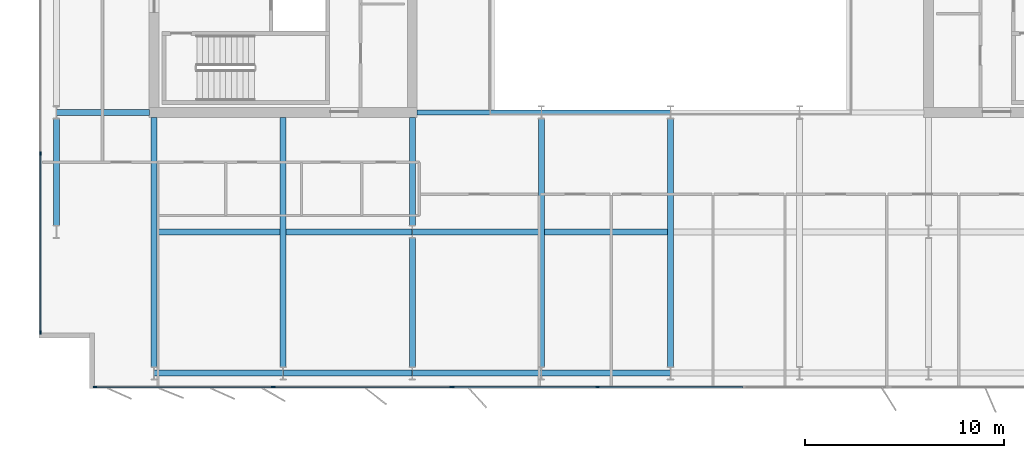
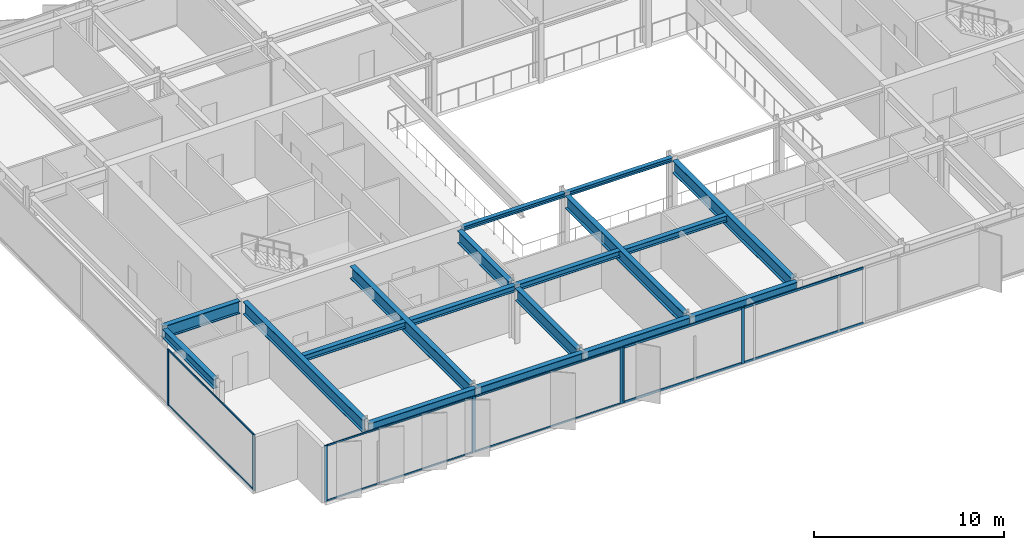
# One storey, part 4 of 20: 18 beams, 17 members, 3 elements without a shape of their own.
"""IFC4 building model written with IfcOpenShell, lengths in metres."""

import ifcopenshell
import ifcopenshell.guid

model = None  # the IFC model being written
_history = None  # IfcOwnerHistory: only IFC2X3 demands one
_inside = {}  # id of a spatial element -> (the spatial element, [elements in it])
_under = {}  # id of a project, library or spatial element -> (it, [spatial elements below it])
_declared = {}  # id of a project -> (the project, [libraries it declares])
_typed = {}  # id of a type object -> (the type object, [elements of that type])
_made_of = {}  # id of a material, layer set ... -> (it, [elements and type objects made of it])


def new_model(schema):
    """Start an empty IFC model of exactly this schema.

    Asked for "IFC4X3", IfcOpenShell would pick the latest addendum, in which some entities
    have other attributes; the version numbers below select the first issue.
    IFC2X3 requires an IfcOwnerHistory on every rooted entity: one is made here for all.
    """
    global model, _history
    if schema == "IFC4X3":
        model = ifcopenshell.file(schema_version=(4, 3, 0, 0))
    else:
        model = ifcopenshell.file(schema=schema)
    _inside.clear()
    _under.clear()
    _declared.clear()
    _typed.clear()
    _made_of.clear()
    _history = None
    if model.schema == "IFC2X3":
        org = make("IfcOrganization", Name="unknown")
        user = make(
            "IfcPersonAndOrganization",
            ThePerson=make("IfcPerson", FamilyName="unknown"),
            TheOrganization=org,
        )
        app = make(
            "IfcApplication",
            ApplicationDeveloper=org,
            Version="unknown",
            ApplicationFullName="unknown",
            ApplicationIdentifier="unknown",
        )
        _history = make(
            "IfcOwnerHistory",
            OwningUser=user,
            OwningApplication=app,
            ChangeAction="ADDED",
            CreationDate=0,
        )
    return model


def make(cls, **values):
    """One entity of the class cls with the attributes given. An attribute that is None is left unset."""
    return model.create_entity(
        cls, **{name: value for name, value in values.items() if value is not None}
    )


def rooted(cls, **values):
    """An entity with a GlobalId (a new one), such as an element, a storey or a relation."""
    return make(cls, GlobalId=ifcopenshell.guid.new(), OwnerHistory=_history, **values)


def si_unit(unit_type, name, prefix=None):
    """IfcSIUnit, for example si_unit("LENGTHUNIT", "METRE", prefix="MILLI")."""
    return make("IfcSIUnit", UnitType=unit_type, Prefix=prefix, Name=name)


def assignment(units):
    """IfcUnitAssignment: the units of a project."""
    return None if units is None else make("IfcUnitAssignment", Units=units)


def point(xyz):
    """IfcCartesianPoint."""
    return None if xyz is None else make("IfcCartesianPoint", Coordinates=xyz)


def direction(xyz):
    """IfcDirection."""
    return None if xyz is None else make("IfcDirection", DirectionRatios=xyz)


def frame(location, z_axis=None, x_axis=None):
    """IfcAxis2Placement3D, a coordinate frame: its origin and axes. An axis left out is left unset."""
    return make(
        "IfcAxis2Placement3D",
        Location=point(location),
        Axis=direction(z_axis),
        RefDirection=direction(x_axis),
    )


def frame_2d(location, x_axis=None):
    """IfcAxis2Placement2D, a coordinate frame in the plane: its origin and x axis."""
    return make(
        "IfcAxis2Placement2D", Location=point(location), RefDirection=direction(x_axis)
    )


def origin():
    """The frame at (0, 0, 0) with its axes left unset."""
    return frame((0.0, 0.0, 0.0))


def origin_2d():
    """The frame at (0, 0) in the plane with its x axis left unset."""
    return frame_2d((0.0, 0.0))


def place(relative_to, where):
    """IfcLocalPlacement: puts the frame where relative to a parent placement (None: the world)."""
    return make(
        "IfcLocalPlacement", PlacementRelTo=relative_to, RelativePlacement=where
    )


def context(
    kind, dimensions, precision=None, world=None, true_north=None, identifier=None
):
    """IfcGeometricRepresentationContext, for example the 3D "Model" context."""
    return make(
        "IfcGeometricRepresentationContext",
        ContextIdentifier=identifier,
        ContextType=kind,
        CoordinateSpaceDimension=dimensions,
        Precision=precision,
        WorldCoordinateSystem=world,
        TrueNorth=true_north,
    )


def subcontext(parent, identifier, kind, view, scale=None):
    """IfcGeometricRepresentationSubContext, for example "Body" below "Model"."""
    return make(
        "IfcGeometricRepresentationSubContext",
        ContextIdentifier=identifier,
        ContextType=kind,
        ParentContext=parent,
        TargetScale=scale,
        TargetView=view,
    )


def project(units=None, contexts=None):
    """IfcProject with its units and contexts."""
    return rooted(
        "IfcProject",
        Name="project",
        RepresentationContexts=contexts,
        UnitsInContext=assignment(units),
    )


def spatial(cls, under=None, at=None, **own):
    """A site, building, storey or space (cls), placed at a placement, below another one or the project."""
    s = rooted(cls, ObjectPlacement=at, **own)
    if under is not None:
        _under.setdefault(under.id(), (under, []))[1].append(s)
    return s


def profile(cls, at=None, kind="AREA", **sizes):
    """A parametric profile (cls). Its sizes go by their IFC names, for example OverallWidth=200.0."""
    return make(cls, ProfileType=kind, Position=at, **sizes)


def rectangle(**sizes):
    """IfcRectangleProfileDef."""
    return profile("IfcRectangleProfileDef", **sizes)


def i_section(**sizes):
    """IfcIShapeProfileDef."""
    return profile("IfcIShapeProfileDef", **sizes)


def extrude(swept, where, along, depth):
    """IfcExtrudedAreaSolid: the profile swept, set in the frame where, extruded along a direction by depth."""
    return make(
        "IfcExtrudedAreaSolid",
        SweptArea=swept,
        Position=where,
        ExtrudedDirection=direction(along),
        Depth=depth,
    )


def shape(context_of_items, identifier, shape_type, items):
    """IfcShapeRepresentation: the items that make up one representation, for example the "Body"."""
    return make(
        "IfcShapeRepresentation",
        ContextOfItems=context_of_items,
        RepresentationIdentifier=identifier,
        RepresentationType=shape_type,
        Items=items,
    )


def material(Name=None, Category=None):
    """IfcMaterial."""
    return make("IfcMaterial", Name=Name, Category=Category)


def layer(
    of_material, thickness, ventilated=None, Name=None, Category=None, Priority=None
):
    """IfcMaterialLayer: one layer of a wall or slab, of a material (None: an air gap)."""
    return make(
        "IfcMaterialLayer",
        Material=of_material,
        LayerThickness=thickness,
        IsVentilated=ventilated,
        Name=Name,
        Category=Category,
        Priority=Priority,
    )


def layer_set(layers, Name=None):
    """IfcMaterialLayerSet."""
    return make("IfcMaterialLayerSet", MaterialLayers=layers, LayerSetName=Name)


def material_profile(
    of_material, cross_section, Name=None, Category=None, Priority=None
):
    """IfcMaterialProfile: a cross section and its material."""
    return make(
        "IfcMaterialProfile",
        Name=Name,
        Material=of_material,
        Profile=cross_section,
        Priority=Priority,
        Category=Category,
    )


def profile_set(profiles, Name=None, composite=None):
    """IfcMaterialProfileSet."""
    return make(
        "IfcMaterialProfileSet",
        Name=Name,
        MaterialProfiles=profiles,
        CompositeProfile=composite,
    )


def made_of(thing, what):
    """Note that an element or type object is made of a material, layer set ...; save() writes the relation."""
    if what is not None:
        _made_of.setdefault(what.id(), (what, []))[1].append(thing)
    return thing


def type_object(cls, material=None, **own):
    """A type object (cls), such as IfcWallType, which elements share."""
    return made_of(rooted(cls, **own), material)


def element(
    cls,
    number,
    at=None,
    inside=None,
    cuts=None,
    type_object=None,
    material=None,
    context=None,
    identifier="Body",
    shape_type=None,
    held_by="IfcProductDefinitionShape",
    body=None,
    shapes=None,
    **own,
):
    """One element of the class cls, such as IfcWall. Its Tag is "e" and its number.

    at: its placement. inside: the storey or other place that contains it. cuts: it is an
    opening in that element (IfcRelVoidsElement). A single representation is given by context,
    identifier, shape_type and body (its items); several are given by shapes. held_by: the class
    of the entity that holds the representations. save() writes the other relations.
    """
    e = rooted(cls, Tag="e%d" % number, ObjectPlacement=at, **own)
    if body is not None:
        shapes = [shape(context, identifier, shape_type, body)]
    if shapes is not None:
        e.Representation = make(held_by, Representations=shapes)
    if inside is not None:
        _inside.setdefault(inside.id(), (inside, []))[1].append(e)
    if cuts is not None:
        rooted(
            "IfcRelVoidsElement", RelatingBuildingElement=cuts, RelatedOpeningElement=e
        )
    if type_object is not None:
        _typed.setdefault(type_object.id(), (type_object, []))[1].append(e)
    return made_of(e, material)


def aggregate(whole, parts):
    """IfcRelAggregates: a whole, such as a stair, and the parts it consists of."""
    return rooted("IfcRelAggregates", RelatingObject=whole, RelatedObjects=parts)


def save(model, path):
    """Write the relations noted so far, then the file.

    IfcRelAggregates (storeys below a building ...), IfcRelContainedInSpatialStructure (elements
    in a storey), IfcRelDefinesByType, IfcRelAssociatesMaterial and IfcRelDeclares: one each for
    every whole, place, type object, material and project.
    """
    for whole, parts in _under.values():
        aggregate(whole, parts)
    for where, things in _inside.values():
        rooted(
            "IfcRelContainedInSpatialStructure",
            RelatedElements=things,
            RelatingStructure=where,
        )
    for kind, things in _typed.values():
        rooted("IfcRelDefinesByType", RelatedObjects=things, RelatingType=kind)
    for what, things in _made_of.values():
        rooted("IfcRelAssociatesMaterial", RelatedObjects=things, RelatingMaterial=what)
    for by, libraries in _declared.values():
        rooted("IfcRelDeclares", RelatingContext=by, RelatedDefinitions=libraries)
    model.write(path)


model = new_model("IFC4")

# Units and contexts
model_context = context("Model", 3, precision=1e-05, world=origin(), true_north=direction((0.0, 1.0)))
body_context = subcontext(model_context, "Body", "Model", "MODEL_VIEW")
ifc_project = project(units=[si_unit("LENGTHUNIT", "METRE"), si_unit("AREAUNIT", "SQUARE_METRE"), si_unit("VOLUMEUNIT", "CUBIC_METRE"), si_unit("PLANEANGLEUNIT", "RADIAN"), si_unit("MASSUNIT", "GRAM", prefix="KILO")], contexts=[model_context])

# Site, building, storey
site_placement = place(None, origin())
site = spatial("IfcSite", under=ifc_project, at=site_placement, CompositionType="ELEMENT")
building_placement = place(site_placement, origin())
building = spatial("IfcBuilding", under=site, at=building_placement, Name="Putna Gate Headquarters", CompositionType="ELEMENT")
storey_placement = place(building_placement, frame((0.0, 0.0, 274.60009765625)))
storey = spatial("IfcBuildingStorey", under=building, at=storey_placement, Name="L69", CompositionType="ELEMENT", Elevation=274.60009765625)

# Beams
ifc_material_1 = material(Name="Steel S355J2", Category="steel")
ifc_material_profile_1 = material_profile(ifc_material_1, i_section(OverallWidth=0.260009765625, OverallDepth=0.260009765625, WebThickness=0.010009765625, FlangeThickness=0.017578125, at=origin_2d()), Name="Steel S355J2")
ifc_profile_set_1 = profile_set([ifc_material_profile_1], Name="Steel S355J2")
beam_type_1 = type_object("IfcBeamType", Name="BM-ATRIUM-HEB260", PredefinedType="BEAM", material=ifc_profile_set_1)
beam_1_placement = place(storey_placement, frame((26.235107421875, 19.0, 3.4580078125), z_axis=(1.0, 0.0, 0.0), x_axis=(0.0, 1.0, 0.0)))
element("IfcBeam", 1, at=beam_1_placement, inside=storey, type_object=beam_type_1, Name="L69 Atrium Edge Beam AS1", PredefinedType="BEAM", context=body_context, shape_type="SweptSolid", body=[
    extrude(i_section(OverallWidth=0.260009765625, OverallDepth=0.260009765625, WebThickness=0.010009765625, FlangeThickness=0.017578125, at=origin_2d()), origin(), (0.0, 0.0, 1.0), 6.2587890625),
])
beam_2_placement = place(storey_placement, frame((32.506103515625, 19.0, 3.4580078125), z_axis=(1.0, 0.0, 0.0), x_axis=(0.0, 1.0, 0.0)))
element("IfcBeam", 2, at=beam_2_placement, inside=storey, type_object=beam_type_1, Name="L69 Atrium Edge Beam AS2", PredefinedType="BEAM", context=body_context, shape_type="SweptSolid", body=[
    extrude(i_section(OverallWidth=0.260009765625, OverallDepth=0.260009765625, WebThickness=0.010009765625, FlangeThickness=0.017578125, at=origin_2d()), origin(), (0.0, 0.0, 1.0), 6.48779296875),
])
ifc_material_profile_2 = material_profile(ifc_material_1, i_section(OverallWidth=0.300048828125, OverallDepth=0.800048828125, WebThickness=0.017578125, FlangeThickness=0.032958984375, at=origin_2d()), Name="Steel S355J2")
ifc_profile_set_2 = profile_set([ifc_material_profile_2], Name="Steel S355J2")
beam_type_2 = type_object("IfcBeamType", Name="BM-GIRD-P-HEB800", PredefinedType="USERDEFINED", material=ifc_profile_set_2)
beam_3_placement = place(storey_placement, frame((8.0859375, 19.0, 3.18798828125), z_axis=(1.0, 0.0, 0.0), x_axis=(0.0, 1.0, 0.0)))
element("IfcBeam", 3, at=beam_3_placement, inside=storey, type_object=beam_type_2, Name="L69 West Wing Girder Y19", ObjectType="GIRDER", PredefinedType="USERDEFINED", context=body_context, shape_type="SweptSolid", body=[
    extrude(i_section(OverallWidth=0.300048828125, OverallDepth=0.800048828125, WebThickness=0.017578125, FlangeThickness=0.032958984375, at=origin_2d()), origin(), (0.0, 0.0, 1.0), 4.678955078125),
])
for number, where, z_axis, x_axis, name in (
    (4, (13.0, 6.201904296875, 3.18798828125), (0.0, 1.0, 0.0), (-1.0, 0.0, 0.0), "L69 South Primary Girder X13"),
    (5, (19.5, 6.201904296875, 3.18798828125), (0.0, 1.0, 0.0), (-1.0, 0.0, 0.0), "L69 South Primary Girder X19"),
):
    element("IfcBeam", number, at=place(storey_placement, frame(where, z_axis=z_axis, x_axis=x_axis)), inside=storey, type_object=beam_type_2, Name=name, ObjectType="GIRDER", PredefinedType="USERDEFINED", context=body_context, shape_type="SweptSolid", body=[
        extrude(i_section(OverallWidth=0.300048828125, OverallDepth=0.800048828125, WebThickness=0.017578125, FlangeThickness=0.032958984375, at=origin_2d()), origin(), (0.0, 0.0, 1.0), 12.56298828125),
    ])
beam_4_placement = place(storey_placement, frame((26.0, 6.201904296875, 3.18798828125), z_axis=(0.0, 1.0, 0.0), x_axis=(-1.0, 0.0, 0.0)))
element("IfcBeam", 6, at=beam_4_placement, inside=storey, type_object=beam_type_2, Name="L69 South Primary Girder X26-1", ObjectType="GIRDER", PredefinedType="USERDEFINED", context=body_context, shape_type="SweptSolid", body=[
    extrude(i_section(OverallWidth=0.300048828125, OverallDepth=0.800048828125, WebThickness=0.017578125, FlangeThickness=0.032958984375, at=origin_2d()), origin(), (0.0, 0.0, 1.0), 6.47607421875),
])
beam_5_placement = place(storey_placement, frame((26.0, 13.322021484375, 3.18798828125), z_axis=(0.0, 1.0, 0.0), x_axis=(-1.0, 0.0, 0.0)))
element("IfcBeam", 7, at=beam_5_placement, inside=storey, type_object=beam_type_2, Name="L69 South Primary Girder X26-2", ObjectType="GIRDER", PredefinedType="USERDEFINED", context=body_context, shape_type="SweptSolid", body=[
    extrude(i_section(OverallWidth=0.300048828125, OverallDepth=0.800048828125, WebThickness=0.017578125, FlangeThickness=0.032958984375, at=origin_2d()), origin(), (0.0, 0.0, 1.0), 5.44287109375),
])
for number, where, z_axis, x_axis, name in (
    (8, (32.5, 6.201904296875, 3.18798828125), (0.0, 1.0, 0.0), (-1.0, 0.0, 0.0), "L69 South Primary Girder X32"),
    (9, (39.0, 6.201904296875, 3.18798828125), (0.0, 1.0, 0.0), (-1.0, 0.0, 0.0), "L69 South Primary Girder X39"),
):
    element("IfcBeam", number, at=place(storey_placement, frame(where, z_axis=z_axis, x_axis=x_axis)), inside=storey, type_object=beam_type_2, Name=name, ObjectType="GIRDER", PredefinedType="USERDEFINED", context=body_context, shape_type="SweptSolid", body=[
        extrude(i_section(OverallWidth=0.300048828125, OverallDepth=0.800048828125, WebThickness=0.017578125, FlangeThickness=0.032958984375, at=origin_2d()), origin(), (0.0, 0.0, 1.0), 12.47607421875),
    ])
ifc_material_profile_3 = material_profile(ifc_material_1, i_section(OverallWidth=0.300048828125, OverallDepth=0.389892578125, WebThickness=0.010986328125, FlangeThickness=0.01904296875, at=origin_2d()), Name="Steel S355J2")
ifc_profile_set_3 = profile_set([ifc_material_profile_3], Name="Steel S355J2")
beam_type_3 = type_object("IfcBeamType", Name="BM-SEC-Z5-HEA400", PredefinedType="BEAM", material=ifc_profile_set_3)
beam_6_placement = place(storey_placement, frame((13.154052734375, 13.0, 3.392822265625), z_axis=(1.0, 0.0, 0.0), x_axis=(0.0, 1.0, 0.0)))
element("IfcBeam", 10, at=beam_6_placement, inside=storey, type_object=beam_type_3, Name="L69 South Secondary Beam 1", PredefinedType="BEAM", context=body_context, shape_type="SweptSolid", body=[
    extrude(i_section(OverallWidth=0.300048828125, OverallDepth=0.389892578125, WebThickness=0.010986328125, FlangeThickness=0.01904296875, at=origin_2d()), origin(), (0.0, 0.0, 1.0), 6.19189453125),
])
for number, where, z_axis, x_axis, name in (
    (11, (19.654052734375, 13.0, 3.392822265625), (1.0, 0.0, 0.0), (0.0, 1.0, 0.0), "L69 South Secondary Beam 2"),
    (12, (26.006103515625, 13.0, 3.392822265625), (1.0, 0.0, 0.0), (0.0, 1.0, 0.0), "L69 South Secondary Beam 3"),
):
    element("IfcBeam", number, at=place(storey_placement, frame(where, z_axis=z_axis, x_axis=x_axis)), inside=storey, type_object=beam_type_3, Name=name, PredefinedType="BEAM", context=body_context, shape_type="SweptSolid", body=[
        extrude(i_section(OverallWidth=0.300048828125, OverallDepth=0.389892578125, WebThickness=0.010986328125, FlangeThickness=0.01904296875, at=origin_2d()), origin(), (0.0, 0.0, 1.0), 6.33984375),
    ])
beam_7_placement = place(storey_placement, frame((32.654052734375, 13.0, 3.392822265625), z_axis=(1.0, 0.0, 0.0), x_axis=(0.0, 1.0, 0.0)))
element("IfcBeam", 13, at=beam_7_placement, inside=storey, type_object=beam_type_3, Name="L69 South Secondary Beam 4", PredefinedType="BEAM", context=body_context, shape_type="SweptSolid", body=[
    extrude(i_section(OverallWidth=0.300048828125, OverallDepth=0.389892578125, WebThickness=0.010986328125, FlangeThickness=0.01904296875, at=origin_2d()), origin(), (0.0, 0.0, 1.0), 6.19189453125),
])
ifc_material_profile_4 = material_profile(ifc_material_1, i_section(OverallWidth=0.300048828125, OverallDepth=0.590087890625, WebThickness=0.012939453125, FlangeThickness=0.02490234375, at=origin_2d()), Name="Steel S355J2")
ifc_profile_set_4 = profile_set([ifc_material_profile_4], Name="Steel S355J2")
beam_type_4 = type_object("IfcBeamType", Name="BM-SPAN-Z4-HEA600", PredefinedType="SPANDREL", material=ifc_profile_set_4)
for number, where, z_axis, x_axis, name in (
    (14, (13.006103515625, 5.8798828125, 3.29296875), (1.0, 0.0, 0.0), (0.0, 1.0, 0.0), "L69 S Perimeter Spandrel 1"),
    (15, (19.506103515625, 5.8798828125, 3.29296875), (1.0, 0.0, 0.0), (0.0, 1.0, 0.0), "L69 S Perimeter Spandrel 2"),
    (16, (26.006103515625, 5.8798828125, 3.29296875), (1.0, 0.0, 0.0), (0.0, 1.0, 0.0), "L69 S Perimeter Spandrel 3"),
    (17, (32.506103515625, 5.8798828125, 3.29296875), (1.0, 0.0, 0.0), (0.0, 1.0, 0.0), "L69 S Perimeter Spandrel 4"),
):
    element("IfcBeam", number, at=place(storey_placement, frame(where, z_axis=z_axis, x_axis=x_axis)), inside=storey, type_object=beam_type_4, Name=name, PredefinedType="SPANDREL", context=body_context, shape_type="SweptSolid", body=[
        extrude(i_section(OverallWidth=0.300048828125, OverallDepth=0.590087890625, WebThickness=0.012939453125, FlangeThickness=0.02490234375, at=origin_2d()), origin(), (0.0, 0.0, 1.0), 6.48779296875),
    ])
beam_8_placement = place(storey_placement, frame((8.080078125, 13.322021484375, 3.29296875), z_axis=(0.0, 1.0, 0.0), x_axis=(-1.0, 0.0, 0.0)))
element("IfcBeam", 18, at=beam_8_placement, inside=storey, type_object=beam_type_4, Name="L69 W End Spandrel 1", PredefinedType="SPANDREL", context=body_context, shape_type="SweptSolid", body=[
    extrude(i_section(OverallWidth=0.300048828125, OverallDepth=0.590087890625, WebThickness=0.012939453125, FlangeThickness=0.02490234375, at=origin_2d()), origin(), (0.0, 0.0, 1.0), 5.35595703125),
])

# Curtain wall, members
ifc_material_2 = material(Name="Anodised bronze aluminium curtain wall", Category="aluminium")
ifc_layer_1 = layer(ifc_material_2, 0.179931640625)
ifc_layer_set_1 = layer_set([ifc_layer_1], Name="Anodised bronze aluminium curtain wall")
curtain_wall_type_1 = type_object("IfcCurtainWallType", Name="CW-SYS-Z5", PredefinedType="USERDEFINED", material=ifc_layer_set_1)
curtain_wall_1_placement = place(storey_placement, origin())
curtain_wall_1 = element("IfcCurtainWall", 19, at=curtain_wall_1_placement, inside=storey, type_object=curtain_wall_type_1, Name="L69 South West Curtain Wall", ObjectType="STICK CURTAIN WALL", PredefinedType="USERDEFINED")
ifc_material_3 = material(Name="Anodised bronze aluminium EN AW-6060", Category="aluminium")
ifc_material_profile_5 = material_profile(ifc_material_3, rectangle(XDim=0.070068359375, YDim=0.179931640625, at=origin_2d()), Name="Anodised bronze aluminium EN AW-6060")
ifc_profile_set_5 = profile_set([ifc_material_profile_5], Name="Anodised bronze aluminium EN AW-6060")
member_type_1 = type_object("IfcMemberType", Name="MULL-CWM-5", PredefinedType="MULLION", material=ifc_profile_set_5)
member_1_placement = place(storey_placement, frame((10.034912109375, 5.179931640625, 0.0), z_axis=(0.0, 0.0, 1.0), x_axis=(0.0, 1.0, 0.0)))
member_1 = element("IfcMember", 20, at=member_1_placement, type_object=member_type_1, Name="CWS-5 mullion 1", PredefinedType="MULLION", context=body_context, shape_type="SweptSolid", body=[
    extrude(rectangle(XDim=0.070068359375, YDim=0.179931640625, at=origin_2d()), origin(), (0.0, 0.0, 1.0), 3.587890625),
])
member_2_placement = place(storey_placement, frame((19.0, 5.179931640625, 0.0), z_axis=(0.0, 0.0, 1.0), x_axis=(0.0, 1.0, 0.0)))
member_2 = element("IfcMember", 21, at=member_2_placement, type_object=member_type_1, Name="CWS-5 mullion 2", PredefinedType="MULLION", context=body_context, shape_type="SweptSolid", body=[
    extrude(rectangle(XDim=0.070068359375, YDim=0.179931640625, at=origin_2d()), origin(), (0.0, 0.0, 1.0), 3.587890625),
])
member_3_placement = place(storey_placement, frame((27.965087890625, 5.179931640625, 0.0), z_axis=(0.0, 0.0, 1.0), x_axis=(0.0, 1.0, 0.0)))
member_3 = element("IfcMember", 22, at=member_3_placement, type_object=member_type_1, Name="CWS-5 mullion 3", PredefinedType="MULLION", context=body_context, shape_type="SweptSolid", body=[
    extrude(rectangle(XDim=0.070068359375, YDim=0.179931640625, at=origin_2d()), origin(), (0.0, 0.0, 1.0), 3.587890625),
])

curtain_wall_2_placement = place(storey_placement, origin())
curtain_wall_2 = element("IfcCurtainWall", 23, at=curtain_wall_2_placement, inside=storey, type_object=curtain_wall_type_1, Name="L69 West Curtain Wall", ObjectType="STICK CURTAIN WALL", PredefinedType="USERDEFINED")
member_4_placement = place(storey_placement, frame((7.280029296875, 7.93505859375, 0.0), z_axis=(0.0, 0.0, 1.0), x_axis=(-1.0, 0.0, 0.0)))
member_4 = element("IfcMember", 24, at=member_4_placement, type_object=member_type_1, Name="CWS-5 mullion 1", PredefinedType="MULLION", context=body_context, shape_type="SweptSolid", body=[
    extrude(rectangle(XDim=0.070068359375, YDim=0.179931640625, at=origin_2d()), origin(), (0.0, 0.0, 1.0), 3.587890625),
])
member_5_placement = place(storey_placement, frame((7.280029296875, 16.949951171875, 0.0), z_axis=(0.0, 0.0, 1.0), x_axis=(-1.0, 0.0, 0.0)))
member_5 = element("IfcMember", 25, at=member_5_placement, type_object=member_type_1, Name="CWS-5 mullion 2", PredefinedType="MULLION", context=body_context, shape_type="SweptSolid", body=[
    extrude(rectangle(XDim=0.070068359375, YDim=0.179931640625, at=origin_2d()), origin(), (0.0, 0.0, 1.0), 3.587890625),
])

ifc_layer_2 = layer(ifc_material_2, 0.179931640625)
ifc_layer_set_2 = layer_set([ifc_layer_2], Name="Anodised bronze aluminium curtain wall")
curtain_wall_type_2 = type_object("IfcCurtainWallType", Name="CW-SYS-ATR", PredefinedType="USERDEFINED", material=ifc_layer_set_2)
curtain_wall_3_placement = place(storey_placement, origin())
curtain_wall_3 = element("IfcCurtainWall", 26, at=curtain_wall_3_placement, inside=storey, type_object=curtain_wall_type_2, Name="L69 South Atrium Clear Glazing", ObjectType="ATRIUM GLAZING", PredefinedType="USERDEFINED")
ifc_material_profile_6 = material_profile(ifc_material_3, rectangle(XDim=0.070068359375, YDim=0.179931640625, at=origin_2d()), Name="Anodised bronze aluminium EN AW-6060")
ifc_profile_set_6 = profile_set([ifc_material_profile_6], Name="Anodised bronze aluminium EN AW-6060")
member_type_2 = type_object("IfcMemberType", Name="MULL-CWM-AT", PredefinedType="MULLION", material=ifc_profile_set_6)
member_6_placement = place(storey_placement, frame((28.034912109375, 5.179931640625, 0.0), z_axis=(0.0, 0.0, 1.0), x_axis=(0.0, 1.0, 0.0)))
member_6 = element("IfcMember", 27, at=member_6_placement, type_object=member_type_2, Name="CWS-AT mullion 1", PredefinedType="MULLION", context=body_context, shape_type="SweptSolid", body=[
    extrude(rectangle(XDim=0.070068359375, YDim=0.179931640625, at=origin_2d()), origin(), (0.0, 0.0, 1.0), 3.587890625),
])
member_7_placement = place(storey_placement, frame((35.333251953125, 5.179931640625, 0.0), z_axis=(0.0, 0.0, 1.0), x_axis=(0.0, 1.0, 0.0)))
member_7 = element("IfcMember", 28, at=member_7_placement, type_object=member_type_2, Name="CWS-AT mullion 2", PredefinedType="MULLION", context=body_context, shape_type="SweptSolid", body=[
    extrude(rectangle(XDim=0.070068359375, YDim=0.179931640625, at=origin_2d()), origin(), (0.0, 0.0, 1.0), 3.587890625),
])

# Member
ifc_material_profile_7 = material_profile(ifc_material_3, rectangle(XDim=0.06005859375, YDim=0.10009765625, at=origin_2d()), Name="Anodised bronze aluminium EN AW-6060")
ifc_profile_set_7 = profile_set([ifc_material_profile_7], Name="Anodised bronze aluminium EN AW-6060")
member_type_3 = type_object("IfcMemberType", Name="TRAN-CWT-5", PredefinedType="USERDEFINED", material=ifc_profile_set_7)
member_8_placement = place(storey_placement, frame((10.070068359375, 5.179931640625, 0.02978515625), z_axis=(1.0, 0.0, 0.0), x_axis=(0.0, 1.0, 0.0)))
member_8 = element("IfcMember", 29, at=member_8_placement, type_object=member_type_3, Name="CWS-5 transom 1.1", ObjectType="TRANSOM", PredefinedType="USERDEFINED", context=body_context, shape_type="SweptSolid", body=[
    extrude(rectangle(XDim=0.06005859375, YDim=0.10009765625, at=origin_2d()), origin(), (0.0, 0.0, 1.0), 8.89501953125),
])

member_9_placement = place(storey_placement, frame((10.070068359375, 5.179931640625, 3.557861328125), z_axis=(1.0, 0.0, 0.0), x_axis=(0.0, 1.0, 0.0)))
member_9 = element("IfcMember", 30, at=member_9_placement, type_object=member_type_3, Name="CWS-5 transom 1.2", ObjectType="TRANSOM", PredefinedType="USERDEFINED", context=body_context, shape_type="SweptSolid", body=[
    extrude(rectangle(XDim=0.06005859375, YDim=0.10009765625, at=origin_2d()), origin(), (0.0, 0.0, 1.0), 8.89501953125),
])

member_10_placement = place(storey_placement, frame((19.034912109375, 5.179931640625, 0.02978515625), z_axis=(1.0, 0.0, 0.0), x_axis=(0.0, 1.0, 0.0)))
member_10 = element("IfcMember", 31, at=member_10_placement, type_object=member_type_3, Name="CWS-5 transom 2.1", ObjectType="TRANSOM", PredefinedType="USERDEFINED", context=body_context, shape_type="SweptSolid", body=[
    extrude(rectangle(XDim=0.06005859375, YDim=0.10009765625, at=origin_2d()), origin(), (0.0, 0.0, 1.0), 8.89501953125),
])

member_11_placement = place(storey_placement, frame((19.034912109375, 5.179931640625, 3.557861328125), z_axis=(1.0, 0.0, 0.0), x_axis=(0.0, 1.0, 0.0)))
member_11 = element("IfcMember", 32, at=member_11_placement, type_object=member_type_3, Name="CWS-5 transom 2.2", ObjectType="TRANSOM", PredefinedType="USERDEFINED", context=body_context, shape_type="SweptSolid", body=[
    extrude(rectangle(XDim=0.06005859375, YDim=0.10009765625, at=origin_2d()), origin(), (0.0, 0.0, 1.0), 8.89501953125),
])

aggregate(curtain_wall_1, [member_1, member_2, member_3, member_8, member_9, member_10, member_11])

member_12_placement = place(storey_placement, frame((7.280029296875, 7.969970703125, 0.02978515625), z_axis=(0.0, 1.0, 0.0), x_axis=(-1.0, 0.0, 0.0)))
member_12 = element("IfcMember", 33, at=member_12_placement, type_object=member_type_3, Name="CWS-5 transom 1.1", ObjectType="TRANSOM", PredefinedType="USERDEFINED", context=body_context, shape_type="SweptSolid", body=[
    extrude(rectangle(XDim=0.06005859375, YDim=0.10009765625, at=origin_2d()), origin(), (0.0, 0.0, 1.0), 8.945068359375),
])

member_13_placement = place(storey_placement, frame((7.280029296875, 7.969970703125, 3.557861328125), z_axis=(0.0, 1.0, 0.0), x_axis=(-1.0, 0.0, 0.0)))
member_13 = element("IfcMember", 34, at=member_13_placement, type_object=member_type_3, Name="CWS-5 transom 1.2", ObjectType="TRANSOM", PredefinedType="USERDEFINED", context=body_context, shape_type="SweptSolid", body=[
    extrude(rectangle(XDim=0.06005859375, YDim=0.10009765625, at=origin_2d()), origin(), (0.0, 0.0, 1.0), 8.945068359375),
])

aggregate(curtain_wall_2, [member_4, member_5, member_12, member_13])

ifc_material_profile_8 = material_profile(ifc_material_3, rectangle(XDim=0.070068359375, YDim=0.139892578125, at=origin_2d()), Name="Anodised bronze aluminium EN AW-6060")
ifc_profile_set_8 = profile_set([ifc_material_profile_8], Name="Anodised bronze aluminium EN AW-6060")
member_type_4 = type_object("IfcMemberType", Name="TRAN-CWT-AT", PredefinedType="USERDEFINED", material=ifc_profile_set_8)
member_14_placement = place(storey_placement, frame((28.070068359375, 5.179931640625, 0.034912109375), z_axis=(1.0, 0.0, 0.0), x_axis=(0.0, 1.0, 0.0)))
member_14 = element("IfcMember", 35, at=member_14_placement, type_object=member_type_4, Name="CWS-AT transom 1.1", ObjectType="TRANSOM", PredefinedType="USERDEFINED", context=body_context, shape_type="SweptSolid", body=[
    extrude(rectangle(XDim=0.070068359375, YDim=0.139892578125, at=origin_2d()), origin(), (0.0, 0.0, 1.0), 7.228271484375),
])

member_15_placement = place(storey_placement, frame((28.070068359375, 5.179931640625, 3.552978515625), z_axis=(1.0, 0.0, 0.0), x_axis=(0.0, 1.0, 0.0)))
member_15 = element("IfcMember", 36, at=member_15_placement, type_object=member_type_4, Name="CWS-AT transom 1.2", ObjectType="TRANSOM", PredefinedType="USERDEFINED", context=body_context, shape_type="SweptSolid", body=[
    extrude(rectangle(XDim=0.070068359375, YDim=0.139892578125, at=origin_2d()), origin(), (0.0, 0.0, 1.0), 7.228271484375),
])

member_16_placement = place(storey_placement, frame((35.368408203125, 5.179931640625, 0.034912109375), z_axis=(1.0, 0.0, 0.0), x_axis=(0.0, 1.0, 0.0)))
member_16 = element("IfcMember", 37, at=member_16_placement, type_object=member_type_4, Name="CWS-AT transom 2.1", ObjectType="TRANSOM", PredefinedType="USERDEFINED", context=body_context, shape_type="SweptSolid", body=[
    extrude(rectangle(XDim=0.070068359375, YDim=0.139892578125, at=origin_2d()), origin(), (0.0, 0.0, 1.0), 7.26318359375),
])

member_17_placement = place(storey_placement, frame((35.368408203125, 5.179931640625, 3.552978515625), z_axis=(1.0, 0.0, 0.0), x_axis=(0.0, 1.0, 0.0)))
member_17 = element("IfcMember", 38, at=member_17_placement, type_object=member_type_4, Name="CWS-AT transom 2.2", ObjectType="TRANSOM", PredefinedType="USERDEFINED", context=body_context, shape_type="SweptSolid", body=[
    extrude(rectangle(XDim=0.070068359375, YDim=0.139892578125, at=origin_2d()), origin(), (0.0, 0.0, 1.0), 7.26318359375),
])

aggregate(curtain_wall_3, [member_6, member_7, member_14, member_15, member_16, member_17])

save(model, "model.ifc")
